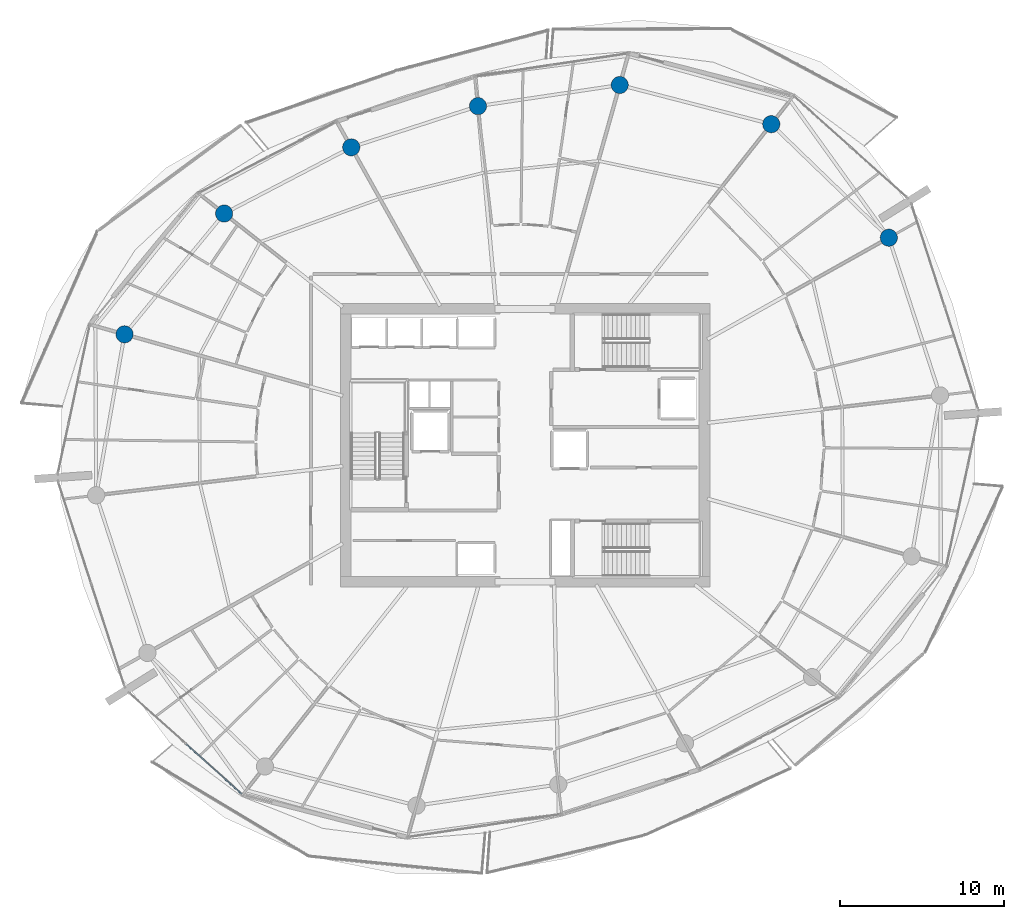
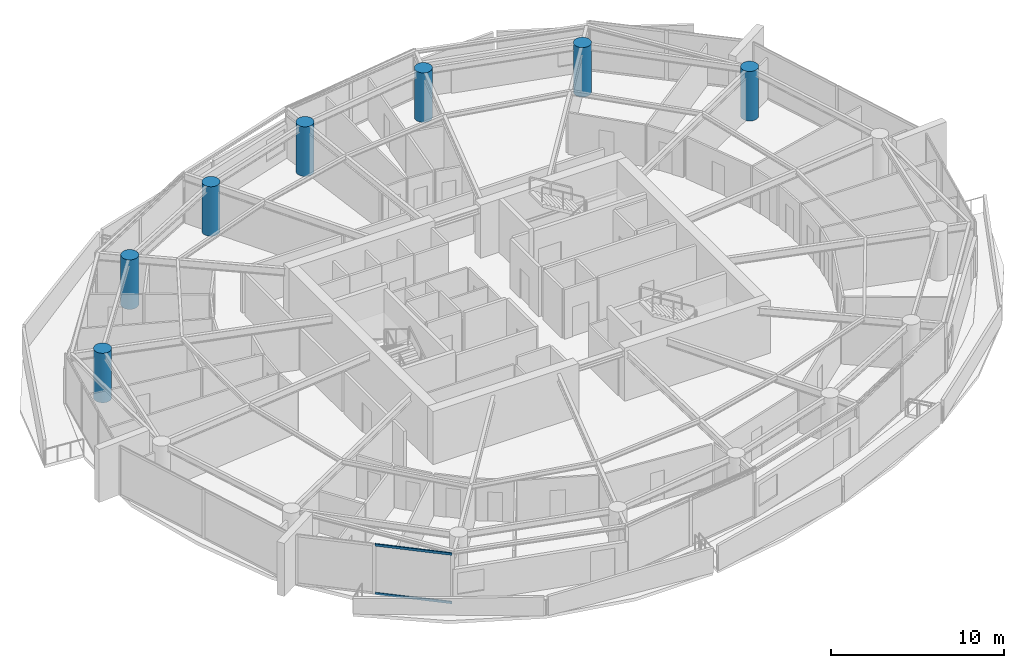
# One storey, part 4 of 19: 7 columns, 2 members, 1 element without a shape of its own.
"""IFC4 building model written with IfcOpenShell, lengths in metres."""

import ifcopenshell
import ifcopenshell.guid

model = None  # the IFC model being written
_history = None  # IfcOwnerHistory: only IFC2X3 demands one
_inside = {}  # id of a spatial element -> (the spatial element, [elements in it])
_under = {}  # id of a project, library or spatial element -> (it, [spatial elements below it])
_declared = {}  # id of a project -> (the project, [libraries it declares])
_typed = {}  # id of a type object -> (the type object, [elements of that type])
_made_of = {}  # id of a material, layer set ... -> (it, [elements and type objects made of it])


def new_model(schema):
    """Start an empty IFC model of exactly this schema.

    Asked for "IFC4X3", IfcOpenShell would pick the latest addendum, in which some entities
    have other attributes; the version numbers below select the first issue.
    IFC2X3 requires an IfcOwnerHistory on every rooted entity: one is made here for all.
    """
    global model, _history
    if schema == "IFC4X3":
        model = ifcopenshell.file(schema_version=(4, 3, 0, 0))
    else:
        model = ifcopenshell.file(schema=schema)
    _inside.clear()
    _under.clear()
    _declared.clear()
    _typed.clear()
    _made_of.clear()
    _history = None
    if model.schema == "IFC2X3":
        org = make("IfcOrganization", Name="unknown")
        user = make(
            "IfcPersonAndOrganization",
            ThePerson=make("IfcPerson", FamilyName="unknown"),
            TheOrganization=org,
        )
        app = make(
            "IfcApplication",
            ApplicationDeveloper=org,
            Version="unknown",
            ApplicationFullName="unknown",
            ApplicationIdentifier="unknown",
        )
        _history = make(
            "IfcOwnerHistory",
            OwningUser=user,
            OwningApplication=app,
            ChangeAction="ADDED",
            CreationDate=0,
        )
    return model


def make(cls, **values):
    """One entity of the class cls with the attributes given. An attribute that is None is left unset."""
    return model.create_entity(
        cls, **{name: value for name, value in values.items() if value is not None}
    )


def rooted(cls, **values):
    """An entity with a GlobalId (a new one), such as an element, a storey or a relation."""
    return make(cls, GlobalId=ifcopenshell.guid.new(), OwnerHistory=_history, **values)


def si_unit(unit_type, name, prefix=None):
    """IfcSIUnit, for example si_unit("LENGTHUNIT", "METRE", prefix="MILLI")."""
    return make("IfcSIUnit", UnitType=unit_type, Prefix=prefix, Name=name)


def assignment(units):
    """IfcUnitAssignment: the units of a project."""
    return None if units is None else make("IfcUnitAssignment", Units=units)


def point(xyz):
    """IfcCartesianPoint."""
    return None if xyz is None else make("IfcCartesianPoint", Coordinates=xyz)


def direction(xyz):
    """IfcDirection."""
    return None if xyz is None else make("IfcDirection", DirectionRatios=xyz)


def frame(location, z_axis=None, x_axis=None):
    """IfcAxis2Placement3D, a coordinate frame: its origin and axes. An axis left out is left unset."""
    return make(
        "IfcAxis2Placement3D",
        Location=point(location),
        Axis=direction(z_axis),
        RefDirection=direction(x_axis),
    )


def frame_2d(location, x_axis=None):
    """IfcAxis2Placement2D, a coordinate frame in the plane: its origin and x axis."""
    return make(
        "IfcAxis2Placement2D", Location=point(location), RefDirection=direction(x_axis)
    )


def origin():
    """The frame at (0, 0, 0) with its axes left unset."""
    return frame((0.0, 0.0, 0.0))


def origin_2d():
    """The frame at (0, 0) in the plane with its x axis left unset."""
    return frame_2d((0.0, 0.0))


def place(relative_to, where):
    """IfcLocalPlacement: puts the frame where relative to a parent placement (None: the world)."""
    return make(
        "IfcLocalPlacement", PlacementRelTo=relative_to, RelativePlacement=where
    )


def context(
    kind, dimensions, precision=None, world=None, true_north=None, identifier=None
):
    """IfcGeometricRepresentationContext, for example the 3D "Model" context."""
    return make(
        "IfcGeometricRepresentationContext",
        ContextIdentifier=identifier,
        ContextType=kind,
        CoordinateSpaceDimension=dimensions,
        Precision=precision,
        WorldCoordinateSystem=world,
        TrueNorth=true_north,
    )


def subcontext(parent, identifier, kind, view, scale=None):
    """IfcGeometricRepresentationSubContext, for example "Body" below "Model"."""
    return make(
        "IfcGeometricRepresentationSubContext",
        ContextIdentifier=identifier,
        ContextType=kind,
        ParentContext=parent,
        TargetScale=scale,
        TargetView=view,
    )


def project(units=None, contexts=None):
    """IfcProject with its units and contexts."""
    return rooted(
        "IfcProject",
        Name="project",
        RepresentationContexts=contexts,
        UnitsInContext=assignment(units),
    )


def spatial(cls, under=None, at=None, **own):
    """A site, building, storey or space (cls), placed at a placement, below another one or the project."""
    s = rooted(cls, ObjectPlacement=at, **own)
    if under is not None:
        _under.setdefault(under.id(), (under, []))[1].append(s)
    return s


def profile(cls, at=None, kind="AREA", **sizes):
    """A parametric profile (cls). Its sizes go by their IFC names, for example OverallWidth=200.0."""
    return make(cls, ProfileType=kind, Position=at, **sizes)


def rectangle(**sizes):
    """IfcRectangleProfileDef."""
    return profile("IfcRectangleProfileDef", **sizes)


def circle(**sizes):
    """IfcCircleProfileDef."""
    return profile("IfcCircleProfileDef", **sizes)


def extrude(swept, where, along, depth):
    """IfcExtrudedAreaSolid: the profile swept, set in the frame where, extruded along a direction by depth."""
    return make(
        "IfcExtrudedAreaSolid",
        SweptArea=swept,
        Position=where,
        ExtrudedDirection=direction(along),
        Depth=depth,
    )


def shape(context_of_items, identifier, shape_type, items):
    """IfcShapeRepresentation: the items that make up one representation, for example the "Body"."""
    return make(
        "IfcShapeRepresentation",
        ContextOfItems=context_of_items,
        RepresentationIdentifier=identifier,
        RepresentationType=shape_type,
        Items=items,
    )


def material(Name=None, Category=None):
    """IfcMaterial."""
    return make("IfcMaterial", Name=Name, Category=Category)


def layer(
    of_material, thickness, ventilated=None, Name=None, Category=None, Priority=None
):
    """IfcMaterialLayer: one layer of a wall or slab, of a material (None: an air gap)."""
    return make(
        "IfcMaterialLayer",
        Material=of_material,
        LayerThickness=thickness,
        IsVentilated=ventilated,
        Name=Name,
        Category=Category,
        Priority=Priority,
    )


def layer_set(layers, Name=None):
    """IfcMaterialLayerSet."""
    return make("IfcMaterialLayerSet", MaterialLayers=layers, LayerSetName=Name)


def material_profile(
    of_material, cross_section, Name=None, Category=None, Priority=None
):
    """IfcMaterialProfile: a cross section and its material."""
    return make(
        "IfcMaterialProfile",
        Name=Name,
        Material=of_material,
        Profile=cross_section,
        Priority=Priority,
        Category=Category,
    )


def profile_set(profiles, Name=None, composite=None):
    """IfcMaterialProfileSet."""
    return make(
        "IfcMaterialProfileSet",
        Name=Name,
        MaterialProfiles=profiles,
        CompositeProfile=composite,
    )


def made_of(thing, what):
    """Note that an element or type object is made of a material, layer set ...; save() writes the relation."""
    if what is not None:
        _made_of.setdefault(what.id(), (what, []))[1].append(thing)
    return thing


def type_object(cls, material=None, **own):
    """A type object (cls), such as IfcWallType, which elements share."""
    return made_of(rooted(cls, **own), material)


def element(
    cls,
    number,
    at=None,
    inside=None,
    cuts=None,
    type_object=None,
    material=None,
    context=None,
    identifier="Body",
    shape_type=None,
    held_by="IfcProductDefinitionShape",
    body=None,
    shapes=None,
    **own,
):
    """One element of the class cls, such as IfcWall. Its Tag is "e" and its number.

    at: its placement. inside: the storey or other place that contains it. cuts: it is an
    opening in that element (IfcRelVoidsElement). A single representation is given by context,
    identifier, shape_type and body (its items); several are given by shapes. held_by: the class
    of the entity that holds the representations. save() writes the other relations.
    """
    e = rooted(cls, Tag="e%d" % number, ObjectPlacement=at, **own)
    if body is not None:
        shapes = [shape(context, identifier, shape_type, body)]
    if shapes is not None:
        e.Representation = make(held_by, Representations=shapes)
    if inside is not None:
        _inside.setdefault(inside.id(), (inside, []))[1].append(e)
    if cuts is not None:
        rooted(
            "IfcRelVoidsElement", RelatingBuildingElement=cuts, RelatedOpeningElement=e
        )
    if type_object is not None:
        _typed.setdefault(type_object.id(), (type_object, []))[1].append(e)
    return made_of(e, material)


def aggregate(whole, parts):
    """IfcRelAggregates: a whole, such as a stair, and the parts it consists of."""
    return rooted("IfcRelAggregates", RelatingObject=whole, RelatedObjects=parts)


def save(model, path):
    """Write the relations noted so far, then the file.

    IfcRelAggregates (storeys below a building ...), IfcRelContainedInSpatialStructure (elements
    in a storey), IfcRelDefinesByType, IfcRelAssociatesMaterial and IfcRelDeclares: one each for
    every whole, place, type object, material and project.
    """
    for whole, parts in _under.values():
        aggregate(whole, parts)
    for where, things in _inside.values():
        rooted(
            "IfcRelContainedInSpatialStructure",
            RelatedElements=things,
            RelatingStructure=where,
        )
    for kind, things in _typed.values():
        rooted("IfcRelDefinesByType", RelatedObjects=things, RelatingType=kind)
    for what, things in _made_of.values():
        rooted("IfcRelAssociatesMaterial", RelatedObjects=things, RelatingMaterial=what)
    for by, libraries in _declared.values():
        rooted("IfcRelDeclares", RelatingContext=by, RelatedDefinitions=libraries)
    model.write(path)


model = new_model("IFC4")

# Units and contexts
model_context = context("Model", 3, precision=1e-05, world=origin(), true_north=direction((0.0, 1.0)))
body_context = subcontext(model_context, "Body", "Model", "MODEL_VIEW")
ifc_project = project(units=[si_unit("LENGTHUNIT", "METRE"), si_unit("AREAUNIT", "SQUARE_METRE"), si_unit("VOLUMEUNIT", "CUBIC_METRE"), si_unit("PLANEANGLEUNIT", "RADIAN"), si_unit("MASSUNIT", "GRAM", prefix="KILO")], contexts=[model_context])

# Site, building, storey
site_placement = place(None, origin())
site = spatial("IfcSite", under=ifc_project, at=site_placement, CompositionType="ELEMENT")
building_placement = place(site_placement, origin())
building = spatial("IfcBuilding", under=site, at=building_placement, Name="Kazma Halo Residences", CompositionType="ELEMENT")
storey_placement = place(building_placement, frame((0.0, 0.0, 199.050048828125)))
storey = spatial("IfcBuildingStorey", under=building, at=storey_placement, Name="L50", CompositionType="ELEMENT", Elevation=199.050048828125)

# Columns
ifc_material_1 = material(Name="Concrete C80/95", Category="concrete")
ifc_material_profile_1 = material_profile(ifc_material_1, circle(Radius=0.52490234375, at=origin_2d()), Name="CIRC1050")
ifc_profile_set_1 = profile_set([ifc_material_profile_1], Name="Concrete C80/95")
column_type = type_object("IfcColumnType", Name="COL-PERIM-1050", PredefinedType="COLUMN", material=ifc_profile_set_1)
for number, where, z_axis, x_axis, name in (
    (1, (70.625, 54.670654296875, 0.0), (0.0, 0.0, 1.0), (1.0, 0.0, 0.0), "L50 perimeter ring column P01"),
    (2, (63.45068359375, 61.598876953125, 0.0), (0.0, 0.0, 1.0), (1.0, 0.0, 0.0), "L50 perimeter ring column P02"),
    (3, (54.202392578125, 63.99169921875, 0.0), (0.0, 0.0, 1.0), (1.0, 0.0, 0.0), "L50 perimeter ring column P03"),
    (4, (45.550048828125, 62.69970703125, 0.0), (0.0, 0.0, 1.0), (1.0, 0.0, 0.0), "L50 perimeter ring column P04"),
    (5, (37.815185546875, 60.186279296875, 0.0), (0.0, 0.0, 1.0), (1.0, 0.0, 0.0), "L50 perimeter ring column P05"),
    (6, (30.055908203125, 56.14599609375, 0.0), (0.0, 0.0, 1.0), (1.0, 0.0, 0.0), "L50 perimeter ring column P06"),
    (7, (23.980224609375, 48.7744140625, 0.0), (0.0, 0.0, 1.0), (1.0, 0.0, 0.0), "L50 perimeter ring column P07"),
):
    element("IfcColumn", number, at=place(storey_placement, frame(where, z_axis=z_axis, x_axis=x_axis)), inside=storey, type_object=column_type, Name=name, PredefinedType="COLUMN", context=body_context, shape_type="SweptSolid", body=[
        extrude(circle(Radius=0.52490234375, at=origin_2d()), origin(), (0.0, 0.0, 1.0), 3.5),
    ])

# Curtain wall, members
ifc_material_2 = material(Name="Aluminium AW-6063 T6 and Triple-Silver Low-E Glass", Category="aluminium")
ifc_layer = layer(ifc_material_2, 0.219970703125)
ifc_layer_set = layer_set([ifc_layer], Name="Aluminium AW-6063 T6 and Triple-Silver Low-E Glass")
curtain_wall_type = type_object("IfcCurtainWallType", Name="CW-SYS-4", PredefinedType="NOTDEFINED", material=ifc_layer_set)
curtain_wall_placement = place(storey_placement, origin())
curtain_wall = element("IfcCurtainWall", 8, at=curtain_wall_placement, inside=storey, type_object=curtain_wall_type, Name="L50 unitised curtain wall B09", PredefinedType="NOTDEFINED")
ifc_material_3 = material(Name="Aluminium AW-6063 T6", Category="aluminium")
ifc_material_profile_2 = material_profile(ifc_material_3, rectangle(XDim=0.074951171875, YDim=0.1650390625, at=origin_2d()), Name="CWT-75x165")
ifc_profile_set_2 = profile_set([ifc_material_profile_2], Name="Aluminium AW-6063 T6")
member_type = type_object("IfcMemberType", Name="CW-SYS-4-TRN", PredefinedType="USERDEFINED", material=ifc_profile_set_2)
member_1_placement = place(storey_placement, frame((27.747314453125, 23.76171875, 0.037353515625), z_axis=(0.744344906673, -0.667795372783, 0.0), x_axis=(0.667795372783, 0.744344906673, 0.0)))
member_1 = element("IfcMember", 9, at=member_1_placement, type_object=member_type, Name="CWS-4 transom 2.1", ObjectType="TRANSOM", PredefinedType="USERDEFINED", context=body_context, shape_type="SweptSolid", body=[
    extrude(rectangle(XDim=0.074951171875, YDim=0.1650390625, at=origin_2d()), origin(), (0.0, 0.0, 1.0), 4.5478515625),
])
member_2_placement = place(storey_placement, frame((27.747314453125, 23.76171875, 3.46240234375), z_axis=(0.744344906673, -0.667795372783, 0.0), x_axis=(0.667795372783, 0.744344906673, 0.0)))
member_2 = element("IfcMember", 10, at=member_2_placement, type_object=member_type, Name="CWS-4 transom 2.2", ObjectType="TRANSOM", PredefinedType="USERDEFINED", context=body_context, shape_type="SweptSolid", body=[
    extrude(rectangle(XDim=0.074951171875, YDim=0.1650390625, at=origin_2d()), origin(), (0.0, 0.0, 1.0), 4.5478515625),
])
aggregate(curtain_wall, [member_1, member_2])

save(model, "model.ifc")
